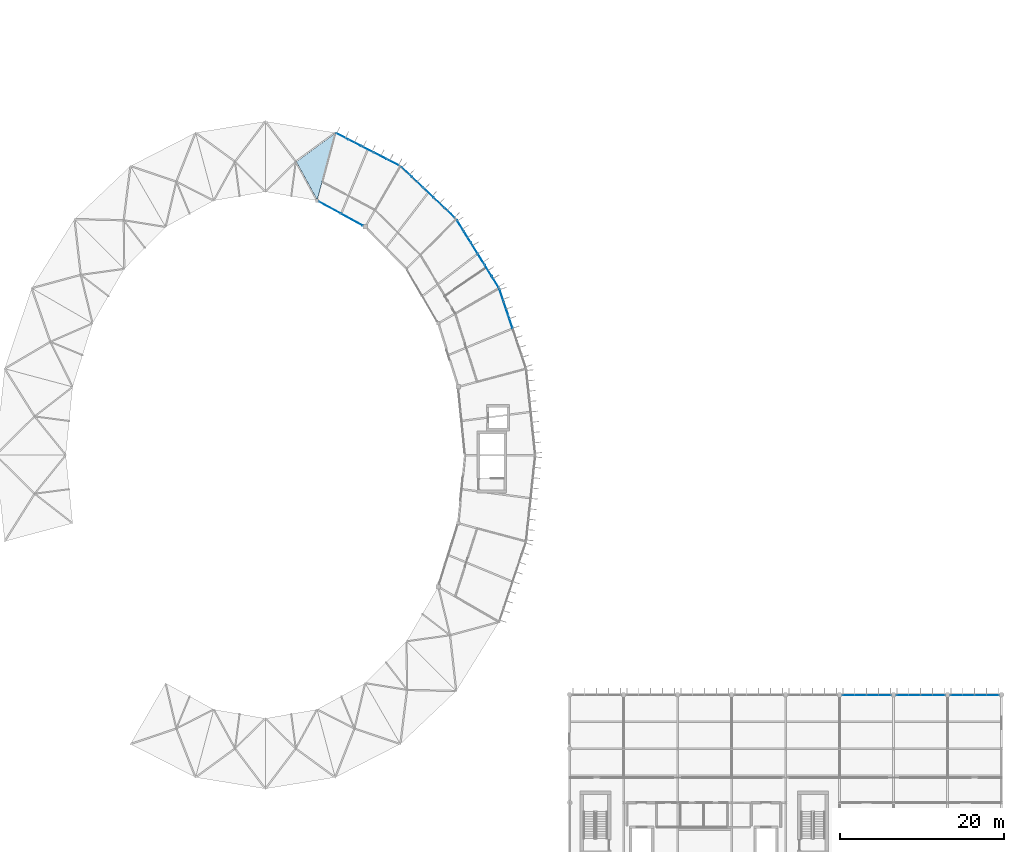
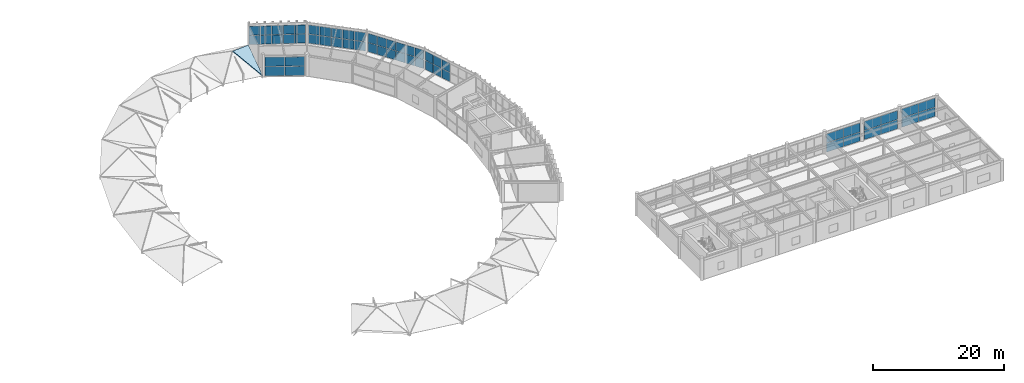
# One storey, part 48 of 66: 54 plates, 1 slab, 8 elements without a shape of their own.
"""IFC4 building model written with IfcOpenShell, lengths in metres."""

from ifc_helpers import new_model, si_unit, direction, frame, origin, origin_2d, place, context, subcontext, project, spatial, polyline, rectangle, outline, extrude, material, layer, layer_set, type_object, element, aggregate, save


model = new_model("IFC4")

# Units and contexts
model_context = context("Model", 3, precision=1e-05, world=origin(), true_north=direction((0.0, 1.0)))
body_context = subcontext(model_context, "Body", "Model", "MODEL_VIEW")
ifc_project = project(units=[si_unit("LENGTHUNIT", "METRE"), si_unit("AREAUNIT", "SQUARE_METRE"), si_unit("VOLUMEUNIT", "CUBIC_METRE"), si_unit("PLANEANGLEUNIT", "RADIAN"), si_unit("MASSUNIT", "GRAM", prefix="KILO")], contexts=[model_context])

# Site, building, storey
site_placement = place(None, origin())
site = spatial("IfcSite", under=ifc_project, at=site_placement, CompositionType="ELEMENT")
building_placement = place(site_placement, origin())
building = spatial("IfcBuilding", under=site, at=building_placement, Name="Karori Crest Natural Sciences Institute", CompositionType="ELEMENT")
storey_placement = place(building_placement, frame((0.0, 0.0, 30.10009765625)))
storey = spatial("IfcBuildingStorey", under=building, at=storey_placement, Name="L07", CompositionType="ELEMENT", Elevation=30.10009765625)

# Curtain wall, plates
ifc_material_1 = material(Name="Anodised architectural aluminium 6063-T6", Category="aluminium")
curtain_wall_type_1 = type_object("IfcCurtainWallType", Name="CWT-04", PredefinedType="NOTDEFINED", material=ifc_material_1)
curtain_wall_1_placement = place(storey_placement, origin())
curtain_wall_1 = element("IfcCurtainWall", 1, at=curtain_wall_1_placement, inside=storey, type_object=curtain_wall_type_1, Name="Curtain wall CW-0248", PredefinedType="NOTDEFINED")
ifc_material_2 = material(Name="Double low-E laminated glass", Category="glass")
ifc_layer_1 = layer(ifc_material_2, 0.02392578125, Name="Double low-E laminated glass")
ifc_layer_set_1 = layer_set([ifc_layer_1], Name="Double low-E laminated glass")
plate_type_1 = type_object("IfcPlateType", Name="CWP-01", PredefinedType="CURTAIN_PANEL", material=ifc_layer_set_1)
plate_1_placement = place(storey_placement, frame((83.695556640625, 84.47900390625, 0.06005859375), z_axis=(0.0, 0.0, 1.0), x_axis=(0.725471459192, -0.688252251648, 0.0)))
plate_1 = element("IfcPlate", 2, at=plate_1_placement, type_object=plate_type_1, Name="CW-0248 panel 1.1", PredefinedType="CURTAIN_PANEL", context=body_context, shape_type="SweptSolid", body=[
    extrude(rectangle(XDim=1.717041015625, YDim=0.02392578125, at=origin_2d()), origin(), (0.0, 0.0, 1.0), 1.672607421875),
])
plate_2_placement = place(storey_placement, frame((83.695556640625, 84.47900390625, 1.79248046875), z_axis=(0.0, 0.0, 1.0), x_axis=(0.725471459192, -0.688252251648, 0.0)))
plate_2 = element("IfcPlate", 3, at=plate_2_placement, type_object=plate_type_1, Name="CW-0248 panel 1.2", PredefinedType="CURTAIN_PANEL", context=body_context, shape_type="SweptSolid", body=[
    extrude(rectangle(XDim=1.717041015625, YDim=0.02392578125, at=origin_2d()), origin(), (0.0, 0.0, 1.0), 1.672607421875),
])
plate_3_placement = place(storey_placement, frame((85.000244140625, 83.2412109375, 0.06005859375), z_axis=(0.0, 0.0, 1.0), x_axis=(0.725471459192, -0.688252251648, 0.0)))
plate_3 = element("IfcPlate", 4, at=plate_3_placement, type_object=plate_type_1, Name="CW-0248 panel 2.1", PredefinedType="CURTAIN_PANEL", context=body_context, shape_type="SweptSolid", body=[
    extrude(rectangle(XDim=1.749755859375, YDim=0.02392578125, at=origin_2d()), origin(), (0.0, 0.0, 1.0), 1.672607421875),
])
plate_4_placement = place(storey_placement, frame((85.000244140625, 83.2412109375, 1.79248046875), z_axis=(0.0, 0.0, 1.0), x_axis=(0.725471459192, -0.688252251648, 0.0)))
plate_4 = element("IfcPlate", 5, at=plate_4_placement, type_object=plate_type_1, Name="CW-0248 panel 2.2", PredefinedType="CURTAIN_PANEL", context=body_context, shape_type="SweptSolid", body=[
    extrude(rectangle(XDim=1.749755859375, YDim=0.02392578125, at=origin_2d()), origin(), (0.0, 0.0, 1.0), 1.672607421875),
])
plate_5_placement = place(storey_placement, frame((86.31689453125, 81.992431640625, 0.06005859375), z_axis=(0.0, 0.0, 1.0), x_axis=(0.725471459192, -0.688252251648, 0.0)))
plate_5 = element("IfcPlate", 6, at=plate_5_placement, type_object=plate_type_1, Name="CW-0248 panel 3.1", PredefinedType="CURTAIN_PANEL", context=body_context, shape_type="SweptSolid", body=[
    extrude(rectangle(XDim=1.749755859375, YDim=0.02392578125, at=origin_2d()), origin(), (0.0, 0.0, 1.0), 1.672607421875),
])
plate_6_placement = place(storey_placement, frame((86.31689453125, 81.992431640625, 1.79248046875), z_axis=(0.0, 0.0, 1.0), x_axis=(0.725471459192, -0.688252251648, 0.0)))
plate_6 = element("IfcPlate", 7, at=plate_6_placement, type_object=plate_type_1, Name="CW-0248 panel 3.2", PredefinedType="CURTAIN_PANEL", context=body_context, shape_type="SweptSolid", body=[
    extrude(rectangle(XDim=1.749755859375, YDim=0.02392578125, at=origin_2d()), origin(), (0.0, 0.0, 1.0), 1.672607421875),
])
plate_7_placement = place(storey_placement, frame((87.63330078125, 80.743408203125, 0.06005859375), z_axis=(0.0, 0.0, 1.0), x_axis=(0.725471459192, -0.688252251648, 0.0)))
plate_7 = element("IfcPlate", 8, at=plate_7_placement, type_object=plate_type_1, Name="CW-0248 panel 4.1", PredefinedType="CURTAIN_PANEL", context=body_context, shape_type="SweptSolid", body=[
    extrude(rectangle(XDim=1.749755859375, YDim=0.02392578125, at=origin_2d()), origin(), (0.0, 0.0, 1.0), 1.672607421875),
])
plate_8_placement = place(storey_placement, frame((87.63330078125, 80.743408203125, 1.79248046875), z_axis=(0.0, 0.0, 1.0), x_axis=(0.725471459192, -0.688252251648, 0.0)))
plate_8 = element("IfcPlate", 9, at=plate_8_placement, type_object=plate_type_1, Name="CW-0248 panel 4.2", PredefinedType="CURTAIN_PANEL", context=body_context, shape_type="SweptSolid", body=[
    extrude(rectangle(XDim=1.749755859375, YDim=0.02392578125, at=origin_2d()), origin(), (0.0, 0.0, 1.0), 1.672607421875),
])
plate_9_placement = place(storey_placement, frame((88.93798828125, 79.505615234375, 0.06005859375), z_axis=(0.0, 0.0, 1.0), x_axis=(0.725471459192, -0.688252251648, 0.0)))
plate_9 = element("IfcPlate", 10, at=plate_9_placement, type_object=plate_type_1, Name="CW-0248 panel 5.1", PredefinedType="CURTAIN_PANEL", context=body_context, shape_type="SweptSolid", body=[
    extrude(rectangle(XDim=1.717041015625, YDim=0.02392578125, at=origin_2d()), origin(), (0.0, 0.0, 1.0), 1.672607421875),
])
plate_10_placement = place(storey_placement, frame((88.93798828125, 79.505615234375, 1.79248046875), z_axis=(0.0, 0.0, 1.0), x_axis=(0.725471459192, -0.688252251648, 0.0)))
plate_10 = element("IfcPlate", 11, at=plate_10_placement, type_object=plate_type_1, Name="CW-0248 panel 5.2", PredefinedType="CURTAIN_PANEL", context=body_context, shape_type="SweptSolid", body=[
    extrude(rectangle(XDim=1.717041015625, YDim=0.02392578125, at=origin_2d()), origin(), (0.0, 0.0, 1.0), 1.672607421875),
])
aggregate(curtain_wall_1, [plate_1, plate_2, plate_3, plate_4, plate_5, plate_6, plate_7, plate_8, plate_9, plate_10])

curtain_wall_type_2 = type_object("IfcCurtainWallType", Name="CWT-15", PredefinedType="NOTDEFINED", material=ifc_material_1)
curtain_wall_2_placement = place(storey_placement, origin())
curtain_wall_2 = element("IfcCurtainWall", 12, at=curtain_wall_2_placement, inside=storey, type_object=curtain_wall_type_2, Name="Curtain wall CW-0250", PredefinedType="NOTDEFINED")
plate_11_placement = place(storey_placement, frame((76.959228515625, 78.682861328125, 0.059814453125), z_axis=(0.0, 0.0, 1.0), x_axis=(-0.877470277057, 0.479631017431, 0.0)))
plate_11 = element("IfcPlate", 13, at=plate_11_placement, type_object=plate_type_1, Name="CW-0250 panel 1.1", PredefinedType="CURTAIN_PANEL", context=body_context, shape_type="SweptSolid", body=[
    extrude(rectangle(XDim=2.987060546875, YDim=0.02392578125, at=origin_2d()), origin(), (0.0, 0.0, 1.0), 1.7099609375),
])
plate_12_placement = place(storey_placement, frame((76.959228515625, 78.682861328125, 1.829833984375), z_axis=(0.0, 0.0, 1.0), x_axis=(-0.877470277057, 0.479631017431, 0.0)))
plate_12 = element("IfcPlate", 14, at=plate_12_placement, type_object=plate_type_1, Name="CW-0250 panel 1.2", PredefinedType="CURTAIN_PANEL", context=body_context, shape_type="SweptSolid", body=[
    extrude(rectangle(XDim=2.987060546875, YDim=0.02392578125, at=origin_2d()), origin(), (0.0, 0.0, 1.0), 1.7099609375),
])
plate_13_placement = place(storey_placement, frame((74.281005859375, 80.14697265625, 0.059814453125), z_axis=(0.0, 0.0, 1.0), x_axis=(-0.877470277057, 0.479631017431, 0.0)))
plate_13 = element("IfcPlate", 15, at=plate_13_placement, type_object=plate_type_1, Name="CW-0250 panel 2.1", PredefinedType="CURTAIN_PANEL", context=body_context, shape_type="SweptSolid", body=[
    extrude(rectangle(XDim=2.987060546875, YDim=0.02392578125, at=origin_2d()), origin(), (0.0, 0.0, 1.0), 1.7099609375),
])
plate_14_placement = place(storey_placement, frame((74.281005859375, 80.14697265625, 1.829833984375), z_axis=(0.0, 0.0, 1.0), x_axis=(-0.877470277057, 0.479631017431, 0.0)))
plate_14 = element("IfcPlate", 16, at=plate_14_placement, type_object=plate_type_1, Name="CW-0250 panel 2.2", PredefinedType="CURTAIN_PANEL", context=body_context, shape_type="SweptSolid", body=[
    extrude(rectangle(XDim=2.987060546875, YDim=0.02392578125, at=origin_2d()), origin(), (0.0, 0.0, 1.0), 1.7099609375),
])
aggregate(curtain_wall_2, [plate_11, plate_12, plate_13, plate_14])

curtain_wall_type_3 = type_object("IfcCurtainWallType", Name="CWT-20", PredefinedType="NOTDEFINED", material=ifc_material_1)
curtain_wall_3_placement = place(storey_placement, origin())
curtain_wall_3 = element("IfcCurtainWall", 17, at=curtain_wall_3_placement, inside=storey, type_object=curtain_wall_type_3, Name="Curtain wall CW-0362", PredefinedType="NOTDEFINED")
plate_15_placement = place(storey_placement, frame((138.415283203125, 20.5400390625, 0.059814453125), z_axis=(0.0, 0.0, 1.0), x_axis=(1.0, 0.0, 0.0)))
plate_15 = element("IfcPlate", 18, at=plate_15_placement, type_object=plate_type_1, Name="CW-0362 panel 1.1", PredefinedType="CURTAIN_PANEL", context=body_context, shape_type="SweptSolid", body=[
    extrude(rectangle(XDim=2.904541015625, YDim=0.02392578125, at=origin_2d()), origin(), (0.0, 0.0, 1.0), 1.66259765625),
])
plate_16_placement = place(storey_placement, frame((138.415283203125, 20.5400390625, 1.782470703125), z_axis=(0.0, 0.0, 1.0), x_axis=(1.0, 0.0, 0.0)))
plate_16 = element("IfcPlate", 19, at=plate_16_placement, type_object=plate_type_1, Name="CW-0362 panel 1.2", PredefinedType="CURTAIN_PANEL", context=body_context, shape_type="SweptSolid", body=[
    extrude(rectangle(XDim=2.904541015625, YDim=0.02392578125, at=origin_2d()), origin(), (0.0, 0.0, 1.0), 1.66259765625),
])
plate_17_placement = place(storey_placement, frame((141.384765625, 20.5400390625, 0.059814453125), z_axis=(0.0, 0.0, 1.0), x_axis=(1.0, 0.0, 0.0)))
plate_17 = element("IfcPlate", 20, at=plate_17_placement, type_object=plate_type_1, Name="CW-0362 panel 2.1", PredefinedType="CURTAIN_PANEL", context=body_context, shape_type="SweptSolid", body=[
    extrude(rectangle(XDim=2.904541015625, YDim=0.02392578125, at=origin_2d()), origin(), (0.0, 0.0, 1.0), 1.66259765625),
])
plate_18_placement = place(storey_placement, frame((141.384765625, 20.5400390625, 1.782470703125), z_axis=(0.0, 0.0, 1.0), x_axis=(1.0, 0.0, 0.0)))
plate_18 = element("IfcPlate", 21, at=plate_18_placement, type_object=plate_type_1, Name="CW-0362 panel 2.2", PredefinedType="CURTAIN_PANEL", context=body_context, shape_type="SweptSolid", body=[
    extrude(rectangle(XDim=2.904541015625, YDim=0.02392578125, at=origin_2d()), origin(), (0.0, 0.0, 1.0), 1.66259765625),
])
aggregate(curtain_wall_3, [plate_15, plate_16, plate_17, plate_18])

curtain_wall_4_placement = place(storey_placement, origin())
curtain_wall_4 = element("IfcCurtainWall", 22, at=curtain_wall_4_placement, inside=storey, type_object=curtain_wall_type_3, Name="Curtain wall CW-0363", PredefinedType="NOTDEFINED")
plate_19_placement = place(storey_placement, frame((145.01513671875, 20.5400390625, 0.059814453125), z_axis=(0.0, 0.0, 1.0), x_axis=(1.0, 0.0, 0.0)))
plate_19 = element("IfcPlate", 23, at=plate_19_placement, type_object=plate_type_1, Name="CW-0363 panel 1.1", PredefinedType="CURTAIN_PANEL", context=body_context, shape_type="SweptSolid", body=[
    extrude(rectangle(XDim=2.904541015625, YDim=0.02392578125, at=origin_2d()), origin(), (0.0, 0.0, 1.0), 1.66259765625),
])
plate_20_placement = place(storey_placement, frame((145.01513671875, 20.5400390625, 1.782470703125), z_axis=(0.0, 0.0, 1.0), x_axis=(1.0, 0.0, 0.0)))
plate_20 = element("IfcPlate", 24, at=plate_20_placement, type_object=plate_type_1, Name="CW-0363 panel 1.2", PredefinedType="CURTAIN_PANEL", context=body_context, shape_type="SweptSolid", body=[
    extrude(rectangle(XDim=2.904541015625, YDim=0.02392578125, at=origin_2d()), origin(), (0.0, 0.0, 1.0), 1.66259765625),
])
plate_21_placement = place(storey_placement, frame((147.98486328125, 20.5400390625, 0.059814453125), z_axis=(0.0, 0.0, 1.0), x_axis=(1.0, 0.0, 0.0)))
plate_21 = element("IfcPlate", 25, at=plate_21_placement, type_object=plate_type_1, Name="CW-0363 panel 2.1", PredefinedType="CURTAIN_PANEL", context=body_context, shape_type="SweptSolid", body=[
    extrude(rectangle(XDim=2.904541015625, YDim=0.02392578125, at=origin_2d()), origin(), (0.0, 0.0, 1.0), 1.66259765625),
])
plate_22_placement = place(storey_placement, frame((147.98486328125, 20.5400390625, 1.782470703125), z_axis=(0.0, 0.0, 1.0), x_axis=(1.0, 0.0, 0.0)))
plate_22 = element("IfcPlate", 26, at=plate_22_placement, type_object=plate_type_1, Name="CW-0363 panel 2.2", PredefinedType="CURTAIN_PANEL", context=body_context, shape_type="SweptSolid", body=[
    extrude(rectangle(XDim=2.904541015625, YDim=0.02392578125, at=origin_2d()), origin(), (0.0, 0.0, 1.0), 1.66259765625),
])
aggregate(curtain_wall_4, [plate_19, plate_20, plate_21, plate_22])

curtain_wall_5_placement = place(storey_placement, origin())
curtain_wall_5 = element("IfcCurtainWall", 27, at=curtain_wall_5_placement, inside=storey, type_object=curtain_wall_type_3, Name="Curtain wall CW-0364", PredefinedType="NOTDEFINED")
plate_23_placement = place(storey_placement, frame((151.615234375, 20.5400390625, 0.059814453125), z_axis=(0.0, 0.0, 1.0), x_axis=(1.0, 0.0, 0.0)))
plate_23 = element("IfcPlate", 28, at=plate_23_placement, type_object=plate_type_1, Name="CW-0364 panel 1.1", PredefinedType="CURTAIN_PANEL", context=body_context, shape_type="SweptSolid", body=[
    extrude(rectangle(XDim=2.904541015625, YDim=0.02392578125, at=origin_2d()), origin(), (0.0, 0.0, 1.0), 1.66259765625),
])
plate_24_placement = place(storey_placement, frame((151.615234375, 20.5400390625, 1.782470703125), z_axis=(0.0, 0.0, 1.0), x_axis=(1.0, 0.0, 0.0)))
plate_24 = element("IfcPlate", 29, at=plate_24_placement, type_object=plate_type_1, Name="CW-0364 panel 1.2", PredefinedType="CURTAIN_PANEL", context=body_context, shape_type="SweptSolid", body=[
    extrude(rectangle(XDim=2.904541015625, YDim=0.02392578125, at=origin_2d()), origin(), (0.0, 0.0, 1.0), 1.66259765625),
])
plate_25_placement = place(storey_placement, frame((154.584716796875, 20.5400390625, 0.059814453125), z_axis=(0.0, 0.0, 1.0), x_axis=(1.0, 0.0, 0.0)))
plate_25 = element("IfcPlate", 30, at=plate_25_placement, type_object=plate_type_1, Name="CW-0364 panel 2.1", PredefinedType="CURTAIN_PANEL", context=body_context, shape_type="SweptSolid", body=[
    extrude(rectangle(XDim=2.904541015625, YDim=0.02392578125, at=origin_2d()), origin(), (0.0, 0.0, 1.0), 1.66259765625),
])
plate_26_placement = place(storey_placement, frame((154.584716796875, 20.5400390625, 1.782470703125), z_axis=(0.0, 0.0, 1.0), x_axis=(1.0, 0.0, 0.0)))
plate_26 = element("IfcPlate", 31, at=plate_26_placement, type_object=plate_type_1, Name="CW-0364 panel 2.2", PredefinedType="CURTAIN_PANEL", context=body_context, shape_type="SweptSolid", body=[
    extrude(rectangle(XDim=2.904541015625, YDim=0.02392578125, at=origin_2d()), origin(), (0.0, 0.0, 1.0), 1.66259765625),
])
aggregate(curtain_wall_5, [plate_23, plate_24, plate_25, plate_26])

curtain_wall_type_4 = type_object("IfcCurtainWallType", Name="CWT-02", PredefinedType="NOTDEFINED", material=ifc_material_1)
curtain_wall_6_placement = place(storey_placement, origin())
curtain_wall_6 = element("IfcCurtainWall", 32, at=curtain_wall_6_placement, inside=storey, type_object=curtain_wall_type_4, Name="Curtain wall CW-0245", PredefinedType="NOTDEFINED")
ifc_layer_2 = layer(ifc_material_2, 0.033935546875, Name="Double low-E laminated glass")
ifc_layer_set_2 = layer_set([ifc_layer_2], Name="Double low-E laminated glass")
plate_type_2 = type_object("IfcPlateType", Name="CWP-02", PredefinedType="CURTAIN_PANEL", material=ifc_layer_set_2)
plate_27_placement = place(storey_placement, frame((95.279541015625, 69.402587890625, 0.06005859375), z_axis=(0.0, 0.0, 1.0), x_axis=(0.317679803392, -0.94819805026, 0.0)))
plate_27 = element("IfcPlate", 33, at=plate_27_placement, type_object=plate_type_2, Name="CW-0245 panel 1.1", PredefinedType="CURTAIN_PANEL", context=body_context, shape_type="SweptSolid", body=[
    extrude(rectangle(XDim=1.59619140625, YDim=0.033935546875, at=origin_2d()), origin(), (0.0, 0.0, 1.0), 1.672607421875),
])
plate_28_placement = place(storey_placement, frame((95.279541015625, 69.402587890625, 1.79248046875), z_axis=(0.0, 0.0, 1.0), x_axis=(0.317679803392, -0.94819805026, 0.0)))
plate_28 = element("IfcPlate", 34, at=plate_28_placement, type_object=plate_type_2, Name="CW-0245 panel 1.2", PredefinedType="CURTAIN_PANEL", context=body_context, shape_type="SweptSolid", body=[
    extrude(rectangle(XDim=1.59619140625, YDim=0.033935546875, at=origin_2d()), origin(), (0.0, 0.0, 1.0), 1.672607421875),
])
plate_29_placement = place(storey_placement, frame((95.8125, 67.81201171875, 0.06005859375), z_axis=(0.0, 0.0, 1.0), x_axis=(0.317679803392, -0.94819805026, 0.0)))
plate_29 = element("IfcPlate", 35, at=plate_29_placement, type_object=plate_type_2, Name="CW-0245 panel 2.1", PredefinedType="CURTAIN_PANEL", context=body_context, shape_type="SweptSolid", body=[
    extrude(rectangle(XDim=1.628662109375, YDim=0.033935546875, at=origin_2d()), origin(), (0.0, 0.0, 1.0), 1.672607421875),
])
plate_30_placement = place(storey_placement, frame((95.8125, 67.81201171875, 1.79248046875), z_axis=(0.0, 0.0, 1.0), x_axis=(0.317679803392, -0.94819805026, 0.0)))
plate_30 = element("IfcPlate", 36, at=plate_30_placement, type_object=plate_type_2, Name="CW-0245 panel 2.2", PredefinedType="CURTAIN_PANEL", context=body_context, shape_type="SweptSolid", body=[
    extrude(rectangle(XDim=1.628662109375, YDim=0.033935546875, at=origin_2d()), origin(), (0.0, 0.0, 1.0), 1.672607421875),
])
plate_31_placement = place(storey_placement, frame((96.3505859375, 66.205810546875, 0.06005859375), z_axis=(0.0, 0.0, 1.0), x_axis=(0.317679803392, -0.94819805026, 0.0)))
plate_31 = element("IfcPlate", 37, at=plate_31_placement, type_object=plate_type_2, Name="CW-0245 panel 3.1", PredefinedType="CURTAIN_PANEL", context=body_context, shape_type="SweptSolid", body=[
    extrude(rectangle(XDim=1.628662109375, YDim=0.033935546875, at=origin_2d()), origin(), (0.0, 0.0, 1.0), 1.672607421875),
])
plate_32_placement = place(storey_placement, frame((96.3505859375, 66.205810546875, 1.79248046875), z_axis=(0.0, 0.0, 1.0), x_axis=(0.317679803392, -0.94819805026, 0.0)))
plate_32 = element("IfcPlate", 38, at=plate_32_placement, type_object=plate_type_2, Name="CW-0245 panel 3.2", PredefinedType="CURTAIN_PANEL", context=body_context, shape_type="SweptSolid", body=[
    extrude(rectangle(XDim=1.628662109375, YDim=0.033935546875, at=origin_2d()), origin(), (0.0, 0.0, 1.0), 1.672607421875),
])
aggregate(curtain_wall_6, [plate_27, plate_28, plate_29, plate_30, plate_31, plate_32])

curtain_wall_type_5 = type_object("IfcCurtainWallType", Name="CWT-05", PredefinedType="NOTDEFINED", material=ifc_material_1)
curtain_wall_7_placement = place(storey_placement, origin())
curtain_wall_7 = element("IfcCurtainWall", 39, at=curtain_wall_7_placement, inside=storey, type_object=curtain_wall_type_5, Name="Curtain wall CW-0249", PredefinedType="NOTDEFINED")
plate_33_placement = place(storey_placement, frame((75.806640625, 88.866455078125, 0.06494140625), z_axis=(0.0, 0.0, 1.0), x_axis=(0.890067432138, -0.455828878252, 0.0)))
plate_33 = element("IfcPlate", 40, at=plate_33_placement, type_object=plate_type_2, Name="CW-0249 panel 1.1", PredefinedType="CURTAIN_PANEL", context=body_context, shape_type="SweptSolid", body=[
    extrude(rectangle(XDim=1.645751953125, YDim=0.033935546875, at=origin_2d()), origin(), (0.0, 0.0, 1.0), 1.6650390625),
])
plate_34_placement = place(storey_placement, frame((75.806640625, 88.866455078125, 1.794921875), z_axis=(0.0, 0.0, 1.0), x_axis=(0.890067432138, -0.455828878252, 0.0)))
plate_34 = element("IfcPlate", 41, at=plate_34_placement, type_object=plate_type_2, Name="CW-0249 panel 1.2", PredefinedType="CURTAIN_PANEL", context=body_context, shape_type="SweptSolid", body=[
    extrude(rectangle(XDim=1.645751953125, YDim=0.033935546875, at=origin_2d()), origin(), (0.0, 0.0, 1.0), 1.6650390625),
])
plate_35_placement = place(storey_placement, frame((77.34375, 88.079345703125, 0.06494140625), z_axis=(0.0, 0.0, 1.0), x_axis=(0.890067432138, -0.455828878252, 0.0)))
plate_35 = element("IfcPlate", 42, at=plate_35_placement, type_object=plate_type_2, Name="CW-0249 panel 2.1", PredefinedType="CURTAIN_PANEL", context=body_context, shape_type="SweptSolid", body=[
    extrude(rectangle(XDim=1.678466796875, YDim=0.033935546875, at=origin_2d()), origin(), (0.0, 0.0, 1.0), 1.6650390625),
])
plate_36_placement = place(storey_placement, frame((77.34375, 88.079345703125, 1.794921875), z_axis=(0.0, 0.0, 1.0), x_axis=(0.890067432138, -0.455828878252, 0.0)))
plate_36 = element("IfcPlate", 43, at=plate_36_placement, type_object=plate_type_2, Name="CW-0249 panel 2.2", PredefinedType="CURTAIN_PANEL", context=body_context, shape_type="SweptSolid", body=[
    extrude(rectangle(XDim=1.678466796875, YDim=0.033935546875, at=origin_2d()), origin(), (0.0, 0.0, 1.0), 1.6650390625),
])
plate_37_placement = place(storey_placement, frame((78.8955078125, 87.28466796875, 0.06494140625), z_axis=(0.0, 0.0, 1.0), x_axis=(0.890067432138, -0.455828878252, 0.0)))
plate_37 = element("IfcPlate", 44, at=plate_37_placement, type_object=plate_type_2, Name="CW-0249 panel 3.1", PredefinedType="CURTAIN_PANEL", context=body_context, shape_type="SweptSolid", body=[
    extrude(rectangle(XDim=1.678466796875, YDim=0.033935546875, at=origin_2d()), origin(), (0.0, 0.0, 1.0), 1.6650390625),
])
plate_38_placement = place(storey_placement, frame((78.8955078125, 87.28466796875, 1.794921875), z_axis=(0.0, 0.0, 1.0), x_axis=(0.890067432138, -0.455828878252, 0.0)))
plate_38 = element("IfcPlate", 45, at=plate_38_placement, type_object=plate_type_2, Name="CW-0249 panel 3.2", PredefinedType="CURTAIN_PANEL", context=body_context, shape_type="SweptSolid", body=[
    extrude(rectangle(XDim=1.678466796875, YDim=0.033935546875, at=origin_2d()), origin(), (0.0, 0.0, 1.0), 1.6650390625),
])
plate_39_placement = place(storey_placement, frame((80.447265625, 86.489990234375, 0.06494140625), z_axis=(0.0, 0.0, 1.0), x_axis=(0.890067432138, -0.455828878252, 0.0)))
plate_39 = element("IfcPlate", 46, at=plate_39_placement, type_object=plate_type_2, Name="CW-0249 panel 4.1", PredefinedType="CURTAIN_PANEL", context=body_context, shape_type="SweptSolid", body=[
    extrude(rectangle(XDim=1.678466796875, YDim=0.033935546875, at=origin_2d()), origin(), (0.0, 0.0, 1.0), 1.6650390625),
])
plate_40_placement = place(storey_placement, frame((80.447265625, 86.489990234375, 1.794921875), z_axis=(0.0, 0.0, 1.0), x_axis=(0.890067432138, -0.455828878252, 0.0)))
plate_40 = element("IfcPlate", 47, at=plate_40_placement, type_object=plate_type_2, Name="CW-0249 panel 4.2", PredefinedType="CURTAIN_PANEL", context=body_context, shape_type="SweptSolid", body=[
    extrude(rectangle(XDim=1.678466796875, YDim=0.033935546875, at=origin_2d()), origin(), (0.0, 0.0, 1.0), 1.6650390625),
])
plate_41_placement = place(storey_placement, frame((81.984375, 85.70263671875, 0.06494140625), z_axis=(0.0, 0.0, 1.0), x_axis=(0.890067432138, -0.455828878252, 0.0)))
plate_41 = element("IfcPlate", 48, at=plate_41_placement, type_object=plate_type_2, Name="CW-0249 panel 5.1", PredefinedType="CURTAIN_PANEL", context=body_context, shape_type="SweptSolid", body=[
    extrude(rectangle(XDim=1.645751953125, YDim=0.033935546875, at=origin_2d()), origin(), (0.0, 0.0, 1.0), 1.6650390625),
])
plate_42_placement = place(storey_placement, frame((81.984375, 85.70263671875, 1.794921875), z_axis=(0.0, 0.0, 1.0), x_axis=(0.890067432138, -0.455828878252, 0.0)))
plate_42 = element("IfcPlate", 49, at=plate_42_placement, type_object=plate_type_2, Name="CW-0249 panel 5.2", PredefinedType="CURTAIN_PANEL", context=body_context, shape_type="SweptSolid", body=[
    extrude(rectangle(XDim=1.645751953125, YDim=0.033935546875, at=origin_2d()), origin(), (0.0, 0.0, 1.0), 1.6650390625),
])
aggregate(curtain_wall_7, [plate_33, plate_34, plate_35, plate_36, plate_37, plate_38, plate_39, plate_40, plate_41, plate_42])

curtain_wall_type_6 = type_object("IfcCurtainWallType", Name="CWT-03", PredefinedType="NOTDEFINED", material=ifc_material_1)
curtain_wall_8_placement = place(storey_placement, origin())
curtain_wall_8 = element("IfcCurtainWall", 50, at=curtain_wall_8_placement, inside=storey, type_object=curtain_wall_type_6, Name="Curtain wall CW-0246", PredefinedType="NOTDEFINED")
ifc_layer_3 = layer(ifc_material_2, 0.0439453125, Name="Double low-E laminated glass")
ifc_layer_set_3 = layer_set([ifc_layer_3], Name="Double low-E laminated glass")
plate_type_3 = type_object("IfcPlateType", Name="CWP-03", PredefinedType="CURTAIN_PANEL", material=ifc_layer_set_3)
plate_43_placement = place(storey_placement, frame((90.2490234375, 77.921142578125, 0.06494140625), z_axis=(0.0, 0.0, 1.0), x_axis=(0.527327706489, -0.849661985715, 0.0)))
plate_43 = element("IfcPlate", 51, at=plate_43_placement, type_object=plate_type_3, Name="CW-0246 panel 1.1", PredefinedType="CURTAIN_PANEL", context=body_context, shape_type="SweptSolid", body=[
    extrude(rectangle(XDim=1.519287109375, YDim=0.0439453125, at=origin_2d()), origin(), (0.0, 0.0, 1.0), 1.6650390625),
])
plate_44_placement = place(storey_placement, frame((90.2490234375, 77.921142578125, 1.794921875), z_axis=(0.0, 0.0, 1.0), x_axis=(0.527327706489, -0.849661985715, 0.0)))
plate_44 = element("IfcPlate", 52, at=plate_44_placement, type_object=plate_type_3, Name="CW-0246 panel 1.2", PredefinedType="CURTAIN_PANEL", context=body_context, shape_type="SweptSolid", body=[
    extrude(rectangle(XDim=1.519287109375, YDim=0.0439453125, at=origin_2d()), origin(), (0.0, 0.0, 1.0), 1.6650390625),
])
plate_45_placement = place(storey_placement, frame((91.093017578125, 76.56103515625, 0.06494140625), z_axis=(0.0, 0.0, 1.0), x_axis=(0.527327706489, -0.849661985715, 0.0)))
plate_45 = element("IfcPlate", 53, at=plate_45_placement, type_object=plate_type_3, Name="CW-0246 panel 2.1", PredefinedType="CURTAIN_PANEL", context=body_context, shape_type="SweptSolid", body=[
    extrude(rectangle(XDim=1.5517578125, YDim=0.0439453125, at=origin_2d()), origin(), (0.0, 0.0, 1.0), 1.6650390625),
])
plate_46_placement = place(storey_placement, frame((91.093017578125, 76.56103515625, 1.794921875), z_axis=(0.0, 0.0, 1.0), x_axis=(0.527327706489, -0.849661985715, 0.0)))
plate_46 = element("IfcPlate", 54, at=plate_46_placement, type_object=plate_type_3, Name="CW-0246 panel 2.2", PredefinedType="CURTAIN_PANEL", context=body_context, shape_type="SweptSolid", body=[
    extrude(rectangle(XDim=1.5517578125, YDim=0.0439453125, at=origin_2d()), origin(), (0.0, 0.0, 1.0), 1.6650390625),
])
plate_47_placement = place(storey_placement, frame((91.945556640625, 75.187255859375, 0.06494140625), z_axis=(0.0, 0.0, 1.0), x_axis=(0.527327706489, -0.849661985715, 0.0)))
plate_47 = element("IfcPlate", 55, at=plate_47_placement, type_object=plate_type_3, Name="CW-0246 panel 3.1", PredefinedType="CURTAIN_PANEL", context=body_context, shape_type="SweptSolid", body=[
    extrude(rectangle(XDim=1.5517578125, YDim=0.0439453125, at=origin_2d()), origin(), (0.0, 0.0, 1.0), 1.6650390625),
])
plate_48_placement = place(storey_placement, frame((91.945556640625, 75.187255859375, 1.794921875), z_axis=(0.0, 0.0, 1.0), x_axis=(0.527327706489, -0.849661985715, 0.0)))
plate_48 = element("IfcPlate", 56, at=plate_48_placement, type_object=plate_type_3, Name="CW-0246 panel 3.2", PredefinedType="CURTAIN_PANEL", context=body_context, shape_type="SweptSolid", body=[
    extrude(rectangle(XDim=1.5517578125, YDim=0.0439453125, at=origin_2d()), origin(), (0.0, 0.0, 1.0), 1.6650390625),
])
plate_49_placement = place(storey_placement, frame((92.798095703125, 73.813720703125, 0.06494140625), z_axis=(0.0, 0.0, 1.0), x_axis=(0.527327706489, -0.849661985715, 0.0)))
plate_49 = element("IfcPlate", 57, at=plate_49_placement, type_object=plate_type_3, Name="CW-0246 panel 4.1", PredefinedType="CURTAIN_PANEL", context=body_context, shape_type="SweptSolid", body=[
    extrude(rectangle(XDim=1.5517578125, YDim=0.0439453125, at=origin_2d()), origin(), (0.0, 0.0, 1.0), 1.6650390625),
])
plate_50_placement = place(storey_placement, frame((92.798095703125, 73.813720703125, 1.794921875), z_axis=(0.0, 0.0, 1.0), x_axis=(0.527327706489, -0.849661985715, 0.0)))
plate_50 = element("IfcPlate", 58, at=plate_50_placement, type_object=plate_type_3, Name="CW-0246 panel 4.2", PredefinedType="CURTAIN_PANEL", context=body_context, shape_type="SweptSolid", body=[
    extrude(rectangle(XDim=1.5517578125, YDim=0.0439453125, at=origin_2d()), origin(), (0.0, 0.0, 1.0), 1.6650390625),
])
plate_51_placement = place(storey_placement, frame((93.650634765625, 72.43994140625, 0.06494140625), z_axis=(0.0, 0.0, 1.0), x_axis=(0.527327706489, -0.849661985715, 0.0)))
plate_51 = element("IfcPlate", 59, at=plate_51_placement, type_object=plate_type_3, Name="CW-0246 panel 5.1", PredefinedType="CURTAIN_PANEL", context=body_context, shape_type="SweptSolid", body=[
    extrude(rectangle(XDim=1.5517578125, YDim=0.0439453125, at=origin_2d()), origin(), (0.0, 0.0, 1.0), 1.6650390625),
])
plate_52_placement = place(storey_placement, frame((93.650634765625, 72.43994140625, 1.794921875), z_axis=(0.0, 0.0, 1.0), x_axis=(0.527327706489, -0.849661985715, 0.0)))
plate_52 = element("IfcPlate", 60, at=plate_52_placement, type_object=plate_type_3, Name="CW-0246 panel 5.2", PredefinedType="CURTAIN_PANEL", context=body_context, shape_type="SweptSolid", body=[
    extrude(rectangle(XDim=1.5517578125, YDim=0.0439453125, at=origin_2d()), origin(), (0.0, 0.0, 1.0), 1.6650390625),
])
plate_53_placement = place(storey_placement, frame((94.49462890625, 71.080078125, 0.06494140625), z_axis=(0.0, 0.0, 1.0), x_axis=(0.527327706489, -0.849661985715, 0.0)))
plate_53 = element("IfcPlate", 61, at=plate_53_placement, type_object=plate_type_3, Name="CW-0246 panel 6.1", PredefinedType="CURTAIN_PANEL", context=body_context, shape_type="SweptSolid", body=[
    extrude(rectangle(XDim=1.519287109375, YDim=0.0439453125, at=origin_2d()), origin(), (0.0, 0.0, 1.0), 1.6650390625),
])
plate_54_placement = place(storey_placement, frame((94.49462890625, 71.080078125, 1.794921875), z_axis=(0.0, 0.0, 1.0), x_axis=(0.527327706489, -0.849661985715, 0.0)))
plate_54 = element("IfcPlate", 62, at=plate_54_placement, type_object=plate_type_3, Name="CW-0246 panel 6.2", PredefinedType="CURTAIN_PANEL", context=body_context, shape_type="SweptSolid", body=[
    extrude(rectangle(XDim=1.519287109375, YDim=0.0439453125, at=origin_2d()), origin(), (0.0, 0.0, 1.0), 1.6650390625),
])
aggregate(curtain_wall_8, [plate_43, plate_44, plate_45, plate_46, plate_47, plate_48, plate_49, plate_50, plate_51, plate_52, plate_53, plate_54])

# Slab
ifc_layer_4 = layer(ifc_material_2, 0.139892578125, Name="Double low-E laminated glass")
ifc_layer_set_4 = layer_set([ifc_layer_4], Name="Double low-E laminated glass")
slab_type = type_object("IfcSlabType", Name="SLT-14", PredefinedType="ROOF", material=ifc_layer_set_4)
slab_placement = place(storey_placement, frame((72.714111328125, 81.005126953125, 0.051025390625), z_axis=(0.561938252305, -0.150573256114, 0.813359142778), x_axis=(0.258821164339, 0.965925258438, 1.227721e-06)))
element("IfcSlab", 63, at=slab_placement, inside=storey, type_object=slab_type, Name="V1-G06D Crystal gable SL-0033", PredefinedType="ROOF", context=body_context, shape_type="SweptSolid", body=[
    extrude(outline(polyline([(0.0, 0.0), (8.596131667505091, 0.0), (8.455061200128782, 0.05238318285010197), (3.941265431412112, 4.515580445091078), (0.1361603708897919, 0.06415155211244761), (0.0, 0.0)])), origin(), (0.0, 0.0, -1.0), 0.139892578125),
])

save(model, "model.ifc")
